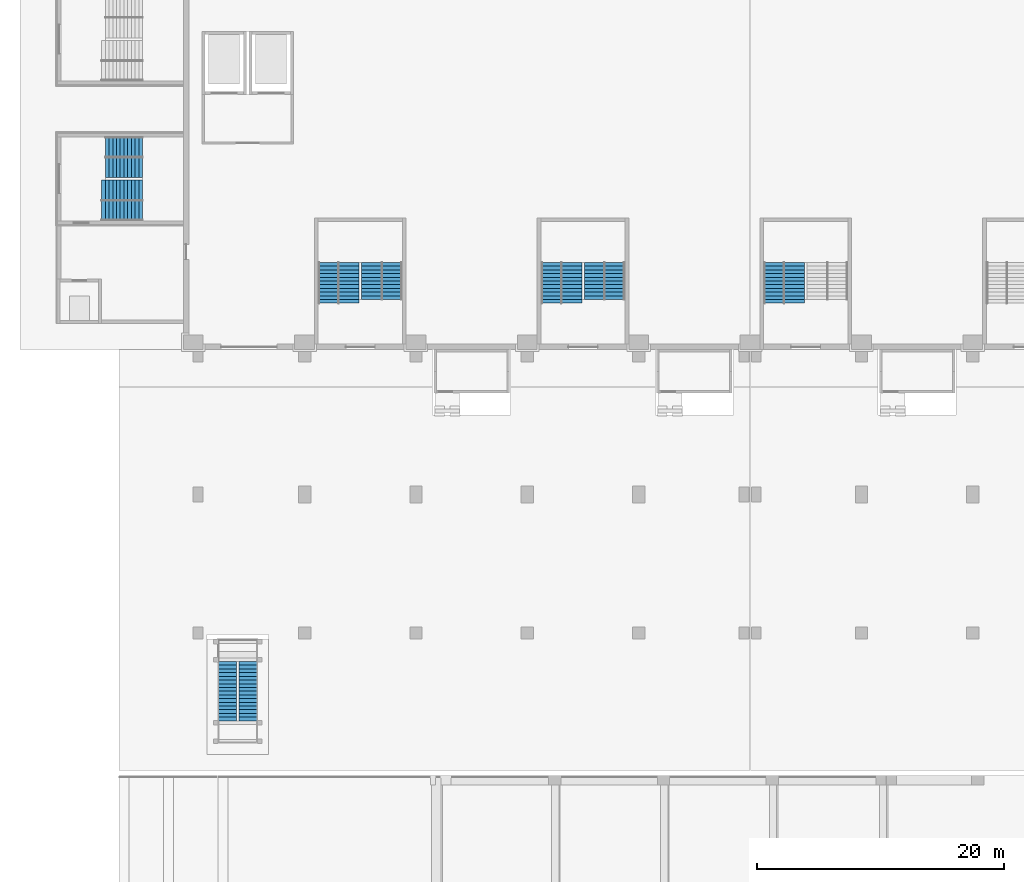
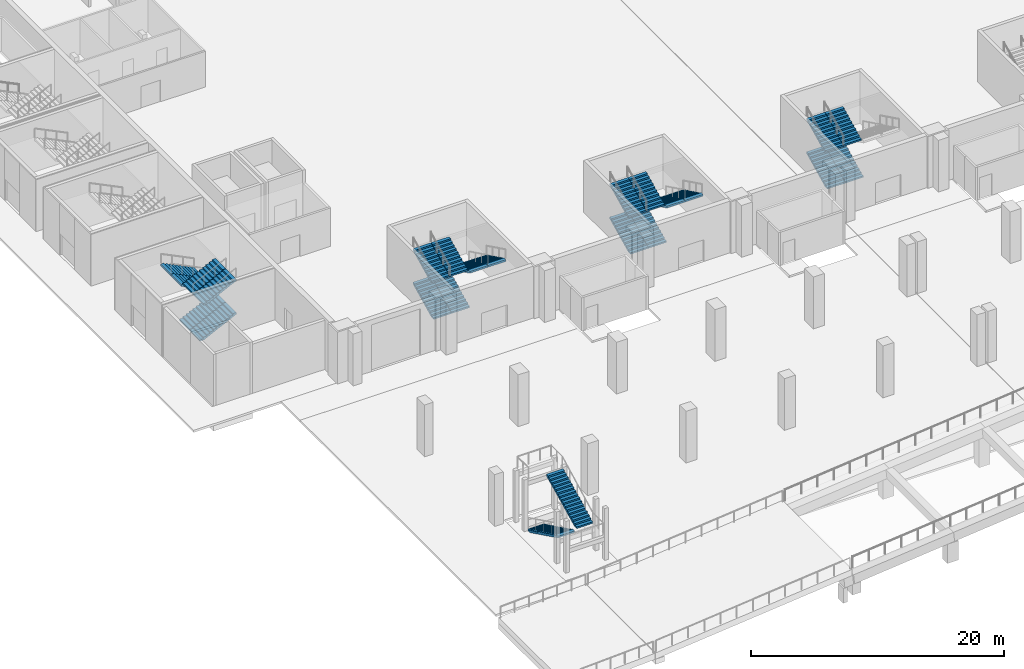
# One storey, part 54 of 77: 24 stair flights, 9 elements without a shape of their own.
"""IFC4 building model written with IfcOpenShell, lengths in metres."""

from ifc_helpers import new_model, si_unit, direction, frame, origin, place, context, subcontext, project, spatial, polyline, outline, extrude, material, type_object, element, aggregate, save


model = new_model("IFC4")

# Units and contexts
model_context = context("Model", 3, precision=1e-05, world=origin(), true_north=direction((0.0, 1.0)))
body_context = subcontext(model_context, "Body", "Model", "MODEL_VIEW")
ifc_project = project(units=[si_unit("LENGTHUNIT", "METRE"), si_unit("AREAUNIT", "SQUARE_METRE"), si_unit("VOLUMEUNIT", "CUBIC_METRE"), si_unit("PLANEANGLEUNIT", "RADIAN"), si_unit("MASSUNIT", "GRAM", prefix="KILO")], contexts=[model_context])

# Site, building, storey
site_placement = place(None, origin())
site = spatial("IfcSite", under=ifc_project, at=site_placement, CompositionType="ELEMENT")
building_placement = place(site_placement, origin())
building = spatial("IfcBuilding", under=site, at=building_placement, Name="Aravalli Gate Trade Fair Centre", CompositionType="ELEMENT")
storey_placement = place(building_placement, origin())
storey = spatial("IfcBuildingStorey", under=building, at=storey_placement, Name="L00", CompositionType="ELEMENT", Elevation=0.0)

# Stair, stair flights
ifc_material_1 = material(Name="Concrete M45", Category="concrete")
stair_type_1 = type_object("IfcStairType", Name="External stair 1500", PredefinedType="HALF_TURN_STAIR", material=ifc_material_1)
stair_1_placement = place(storey_placement, origin())
stair_1 = element("IfcStair", 1, at=stair_1_placement, inside=storey, type_object=stair_type_1, Name="External stair 1 L00", PredefinedType="HALF_TURN_STAIR")
stair_flight_type_1 = type_object("IfcStairFlightType", Name="External stair flight 1500", PredefinedType="STRAIGHT", material=ifc_material_1)
stair_flight_1_placement = place(storey_placement, frame((8.75, 20.199951171875, 0.0), z_axis=(0.0, 0.0, 1.0), x_axis=(0.0, -1.0, 0.0)))
stair_flight_1 = element("IfcStairFlight", 2, at=stair_flight_1_placement, type_object=stair_flight_type_1, Name="SST1 flight 1", NumberOfRisers=17, NumberOfTreads=16, PredefinedType="STRAIGHT", RiserHeight=0.147058824, TreadLength=0.3, context=body_context, shape_type="SweptSolid", body=[
    extrude(outline(polyline([(0.0, 0.0), (0.0, 0.14697265625), (0.300048828125, 0.14697265625), (0.300048828125, 0.294189453125), (0.60009765625, 0.294189453125), (0.60009765625, 0.441162109375), (0.89990234375, 0.441162109375), (0.89990234375, 0.588134765625), (1.199951171875, 0.588134765625), (1.199951171875, 0.7353515625), (1.5, 0.7353515625), (1.5, 0.88232421875), (1.800048828125, 0.88232421875), (1.800048828125, 1.029296875), (2.10009765625, 1.029296875), (2.10009765625, 1.176513671875), (2.39990234375, 1.176513671875), (2.39990234375, 1.323486328125), (2.699951171875, 1.323486328125), (2.699951171875, 1.470703125), (3.0, 1.470703125), (3.0, 1.61767578125), (3.300048828125, 1.61767578125), (3.300048828125, 1.7646484375), (3.60009765625, 1.7646484375), (3.60009765625, 1.911865234375), (3.89990234375, 1.911865234375), (3.89990234375, 2.058837890625), (4.199951171875, 2.058837890625), (4.199951171875, 2.205810546875), (4.5, 2.205810546875), (4.5, 2.35302734375), (4.800048828125, 2.35302734375), (4.800048828125, 2.5), (4.800048828125, 2.18603515625), (0.340576171875, 0.0), (0.0, 0.0)])), frame((0.0, 0.75, 0.0), z_axis=(0.0, -1.0, 0.0), x_axis=(1.0, 0.0, 0.0)), (0.0, 0.0, 1.0), 1.5),
])
stair_flight_2_placement = place(storey_placement, frame((10.449951171875, 15.39990234375, 2.5), z_axis=(0.0, 0.0, 1.0), x_axis=(0.0, 1.0, 0.0)))
stair_flight_2 = element("IfcStairFlight", 3, at=stair_flight_2_placement, type_object=stair_flight_type_1, Name="SST1 flight 2", NumberOfRisers=17, NumberOfTreads=16, PredefinedType="STRAIGHT", RiserHeight=0.147058824, TreadLength=0.3, context=body_context, shape_type="SweptSolid", body=[
    extrude(outline(polyline([(0.0, 0.0), (0.0, 0.14697265625), (0.300048828125, 0.14697265625), (0.300048828125, 0.294189453125), (0.60009765625, 0.294189453125), (0.60009765625, 0.441162109375), (0.89990234375, 0.441162109375), (0.89990234375, 0.588134765625), (1.199951171875, 0.588134765625), (1.199951171875, 0.7353515625), (1.5, 0.7353515625), (1.5, 0.88232421875), (1.800048828125, 0.88232421875), (1.800048828125, 1.029296875), (2.10009765625, 1.029296875), (2.10009765625, 1.176513671875), (2.39990234375, 1.176513671875), (2.39990234375, 1.323486328125), (2.699951171875, 1.323486328125), (2.699951171875, 1.470703125), (3.0, 1.470703125), (3.0, 1.61767578125), (3.300048828125, 1.61767578125), (3.300048828125, 1.7646484375), (3.60009765625, 1.7646484375), (3.60009765625, 1.911865234375), (3.89990234375, 1.911865234375), (3.89990234375, 2.058837890625), (4.199951171875, 2.058837890625), (4.199951171875, 2.205810546875), (4.5, 2.205810546875), (4.5, 2.35302734375), (4.800048828125, 2.35302734375), (4.800048828125, 2.5), (4.800048828125, 2.18603515625), (0.340576171875, 0.0), (0.0, 0.0)])), frame((0.0, 0.75, 0.0), z_axis=(0.0, -1.0, 0.0), x_axis=(1.0, 0.0, 0.0)), (0.0, 0.0, 1.0), 1.5),
])
aggregate(stair_1, [stair_flight_1, stair_flight_2])

ifc_material_2 = material(Name="Concrete M40", Category="concrete")
stair_type_2 = type_object("IfcStairType", Name="Hall exit stair, three flights", PredefinedType="HALF_TURN_STAIR", material=ifc_material_2)
stair_2_placement = place(storey_placement, origin())
stair_2 = element("IfcStair", 4, at=stair_2_placement, inside=storey, type_object=stair_type_2, Name="Exit stair ST-S02 lane A L00", PredefinedType="HALF_TURN_STAIR")
stair_flight_type_2 = type_object("IfcStairFlightType", Name="Hall exit stair flight", PredefinedType="STRAIGHT", material=ifc_material_2)
stair_flight_3_placement = place(storey_placement, frame((16.919921875, 49.14990234375, 0.0), z_axis=(0.0, 0.0, 1.0), x_axis=(0.0, 1.0, 0.0)))
stair_flight_3 = element("IfcStairFlight", 5, at=stair_flight_3_placement, type_object=stair_flight_type_2, Name="ST-S02A flight 1", NumberOfRisers=12, NumberOfTreads=11, PredefinedType="STRAIGHT", RiserHeight=0.147058824, TreadLength=0.3, context=body_context, shape_type="SweptSolid", body=[
    extrude(outline(polyline([(0.0, 0.0), (0.0, 0.14697265625), (0.300048828125, 0.14697265625), (0.300048828125, 0.294189453125), (0.60009765625, 0.294189453125), (0.60009765625, 0.441162109375), (0.89990234375, 0.441162109375), (0.89990234375, 0.588134765625), (1.199951171875, 0.588134765625), (1.199951171875, 0.7353515625), (1.5, 0.7353515625), (1.5, 0.88232421875), (1.800048828125, 0.88232421875), (1.800048828125, 1.029296875), (2.10009765625, 1.029296875), (2.10009765625, 1.176513671875), (2.39990234375, 1.176513671875), (2.39990234375, 1.323486328125), (2.699951171875, 1.323486328125), (2.699951171875, 1.470703125), (3.0, 1.470703125), (3.0, 1.61767578125), (3.300048828125, 1.61767578125), (3.300048828125, 1.7646484375), (3.300048828125, 1.45068359375), (0.340576171875, 0.0), (0.0, 0.0)])), frame((0.0, 0.81982421875, 0.0), z_axis=(0.0, -1.0, 0.0), x_axis=(1.0, 0.0, 0.0)), (0.0, 0.0, 1.0), 1.639892578125),
])
stair_flight_4_placement = place(storey_placement, frame((20.419921875, 52.449951171875, 1.7646484375), z_axis=(0.0, 0.0, 1.0), x_axis=(0.0, -1.0, 0.0)))
stair_flight_4 = element("IfcStairFlight", 6, at=stair_flight_4_placement, type_object=stair_flight_type_2, Name="ST-S02A flight 2", NumberOfRisers=11, NumberOfTreads=10, PredefinedType="STRAIGHT", RiserHeight=0.147058824, TreadLength=0.3, context=body_context, shape_type="SweptSolid", body=[
    extrude(outline(polyline([(0.0, 0.0), (0.0, 0.14697265625), (0.300048828125, 0.14697265625), (0.300048828125, 0.294189453125), (0.60009765625, 0.294189453125), (0.60009765625, 0.441162109375), (0.89990234375, 0.441162109375), (0.89990234375, 0.588134765625), (1.199951171875, 0.588134765625), (1.199951171875, 0.7353515625), (1.5, 0.7353515625), (1.5, 0.88232421875), (1.800048828125, 0.88232421875), (1.800048828125, 1.029296875), (2.10009765625, 1.029296875), (2.10009765625, 1.176513671875), (2.39990234375, 1.176513671875), (2.39990234375, 1.323486328125), (2.699951171875, 1.323486328125), (2.699951171875, 1.470703125), (3.0, 1.470703125), (3.0, 1.61767578125), (3.0, 1.3037109375), (0.340576171875, 0.0), (0.0, 0.0)])), frame((0.0, 0.81982421875, 0.0), z_axis=(0.0, -1.0, 0.0), x_axis=(1.0, 0.0, 0.0)), (0.0, 0.0, 1.0), 1.639892578125),
])
stair_flight_5_placement = place(storey_placement, frame((16.919921875, 49.449951171875, 3.38232421875), z_axis=(0.0, 0.0, 1.0), x_axis=(0.0, 1.0, 0.0)))
stair_flight_5 = element("IfcStairFlight", 7, at=stair_flight_5_placement, type_object=stair_flight_type_2, Name="ST-S02A flight 3", NumberOfRisers=11, NumberOfTreads=10, PredefinedType="STRAIGHT", RiserHeight=0.147058824, TreadLength=0.3, context=body_context, shape_type="SweptSolid", body=[
    extrude(outline(polyline([(0.0, 0.0), (0.0, 0.14697265625), (0.300048828125, 0.14697265625), (0.300048828125, 0.294189453125), (0.60009765625, 0.294189453125), (0.60009765625, 0.441162109375), (0.89990234375, 0.441162109375), (0.89990234375, 0.588134765625), (1.199951171875, 0.588134765625), (1.199951171875, 0.7353515625), (1.5, 0.7353515625), (1.5, 0.88232421875), (1.800048828125, 0.88232421875), (1.800048828125, 1.029296875), (2.10009765625, 1.029296875), (2.10009765625, 1.176513671875), (2.39990234375, 1.176513671875), (2.39990234375, 1.323486328125), (2.699951171875, 1.323486328125), (2.699951171875, 1.470703125), (3.0, 1.470703125), (3.0, 1.61767578125), (3.0, 1.3037109375), (0.340576171875, 0.0), (0.0, 0.0)])), frame((0.0, 0.81982421875, 0.0), z_axis=(0.0, -1.0, 0.0), x_axis=(1.0, 0.0, 0.0)), (0.0, 0.0, 1.0), 1.639892578125),
])
aggregate(stair_2, [stair_flight_3, stair_flight_4, stair_flight_5])

stair_3_placement = place(storey_placement, origin())
stair_3 = element("IfcStair", 8, at=stair_3_placement, inside=storey, type_object=stair_type_2, Name="Exit stair ST-S02 lane B L00", PredefinedType="HALF_TURN_STAIR")
stair_flight_6_placement = place(storey_placement, frame((18.580078125, 49.14990234375, 0.0), z_axis=(0.0, 0.0, 1.0), x_axis=(0.0, 1.0, 0.0)))
stair_flight_6 = element("IfcStairFlight", 9, at=stair_flight_6_placement, type_object=stair_flight_type_2, Name="ST-S02B flight 1", NumberOfRisers=12, NumberOfTreads=11, PredefinedType="STRAIGHT", RiserHeight=0.147058824, TreadLength=0.3, context=body_context, shape_type="SweptSolid", body=[
    extrude(outline(polyline([(0.0, 0.0), (0.0, 0.14697265625), (0.300048828125, 0.14697265625), (0.300048828125, 0.294189453125), (0.60009765625, 0.294189453125), (0.60009765625, 0.441162109375), (0.89990234375, 0.441162109375), (0.89990234375, 0.588134765625), (1.199951171875, 0.588134765625), (1.199951171875, 0.7353515625), (1.5, 0.7353515625), (1.5, 0.88232421875), (1.800048828125, 0.88232421875), (1.800048828125, 1.029296875), (2.10009765625, 1.029296875), (2.10009765625, 1.176513671875), (2.39990234375, 1.176513671875), (2.39990234375, 1.323486328125), (2.699951171875, 1.323486328125), (2.699951171875, 1.470703125), (3.0, 1.470703125), (3.0, 1.61767578125), (3.300048828125, 1.61767578125), (3.300048828125, 1.7646484375), (3.300048828125, 1.45068359375), (0.340576171875, 0.0), (0.0, 0.0)])), frame((0.0, 0.81982421875, 0.0), z_axis=(0.0, -1.0, 0.0), x_axis=(1.0, 0.0, 0.0)), (0.0, 0.0, 1.0), 1.639892578125),
])
stair_flight_7_placement = place(storey_placement, frame((22.080078125, 52.449951171875, 1.7646484375), z_axis=(0.0, 0.0, 1.0), x_axis=(0.0, -1.0, 0.0)))
stair_flight_7 = element("IfcStairFlight", 10, at=stair_flight_7_placement, type_object=stair_flight_type_2, Name="ST-S02B flight 2", NumberOfRisers=11, NumberOfTreads=10, PredefinedType="STRAIGHT", RiserHeight=0.147058824, TreadLength=0.3, context=body_context, shape_type="SweptSolid", body=[
    extrude(outline(polyline([(0.0, 0.0), (0.0, 0.14697265625), (0.300048828125, 0.14697265625), (0.300048828125, 0.294189453125), (0.60009765625, 0.294189453125), (0.60009765625, 0.441162109375), (0.89990234375, 0.441162109375), (0.89990234375, 0.588134765625), (1.199951171875, 0.588134765625), (1.199951171875, 0.7353515625), (1.5, 0.7353515625), (1.5, 0.88232421875), (1.800048828125, 0.88232421875), (1.800048828125, 1.029296875), (2.10009765625, 1.029296875), (2.10009765625, 1.176513671875), (2.39990234375, 1.176513671875), (2.39990234375, 1.323486328125), (2.699951171875, 1.323486328125), (2.699951171875, 1.470703125), (3.0, 1.470703125), (3.0, 1.61767578125), (3.0, 1.3037109375), (0.340576171875, 0.0), (0.0, 0.0)])), frame((0.0, 0.81982421875, 0.0), z_axis=(0.0, -1.0, 0.0), x_axis=(1.0, 0.0, 0.0)), (0.0, 0.0, 1.0), 1.639892578125),
])
stair_flight_8_placement = place(storey_placement, frame((18.580078125, 49.449951171875, 3.38232421875), z_axis=(0.0, 0.0, 1.0), x_axis=(0.0, 1.0, 0.0)))
stair_flight_8 = element("IfcStairFlight", 11, at=stair_flight_8_placement, type_object=stair_flight_type_2, Name="ST-S02B flight 3", NumberOfRisers=11, NumberOfTreads=10, PredefinedType="STRAIGHT", RiserHeight=0.147058824, TreadLength=0.3, context=body_context, shape_type="SweptSolid", body=[
    extrude(outline(polyline([(0.0, 0.0), (0.0, 0.14697265625), (0.300048828125, 0.14697265625), (0.300048828125, 0.294189453125), (0.60009765625, 0.294189453125), (0.60009765625, 0.441162109375), (0.89990234375, 0.441162109375), (0.89990234375, 0.588134765625), (1.199951171875, 0.588134765625), (1.199951171875, 0.7353515625), (1.5, 0.7353515625), (1.5, 0.88232421875), (1.800048828125, 0.88232421875), (1.800048828125, 1.029296875), (2.10009765625, 1.029296875), (2.10009765625, 1.176513671875), (2.39990234375, 1.176513671875), (2.39990234375, 1.323486328125), (2.699951171875, 1.323486328125), (2.699951171875, 1.470703125), (3.0, 1.470703125), (3.0, 1.61767578125), (3.0, 1.3037109375), (0.340576171875, 0.0), (0.0, 0.0)])), frame((0.0, 0.81982421875, 0.0), z_axis=(0.0, -1.0, 0.0), x_axis=(1.0, 0.0, 0.0)), (0.0, 0.0, 1.0), 1.639892578125),
])
aggregate(stair_3, [stair_flight_6, stair_flight_7, stair_flight_8])

stair_4_placement = place(storey_placement, origin())
stair_4 = element("IfcStair", 12, at=stair_4_placement, inside=storey, type_object=stair_type_2, Name="Exit stair ST-S04 lane A L00", PredefinedType="HALF_TURN_STAIR")
stair_flight_9_placement = place(storey_placement, frame((34.919921875, 49.14990234375, 0.0), z_axis=(0.0, 0.0, 1.0), x_axis=(0.0, 1.0, 0.0)))
stair_flight_9 = element("IfcStairFlight", 13, at=stair_flight_9_placement, type_object=stair_flight_type_2, Name="ST-S04A flight 1", NumberOfRisers=12, NumberOfTreads=11, PredefinedType="STRAIGHT", RiserHeight=0.147058824, TreadLength=0.3, context=body_context, shape_type="SweptSolid", body=[
    extrude(outline(polyline([(0.0, 0.0), (0.0, 0.14697265625), (0.300048828125, 0.14697265625), (0.300048828125, 0.294189453125), (0.60009765625, 0.294189453125), (0.60009765625, 0.441162109375), (0.89990234375, 0.441162109375), (0.89990234375, 0.588134765625), (1.199951171875, 0.588134765625), (1.199951171875, 0.7353515625), (1.5, 0.7353515625), (1.5, 0.88232421875), (1.800048828125, 0.88232421875), (1.800048828125, 1.029296875), (2.10009765625, 1.029296875), (2.10009765625, 1.176513671875), (2.39990234375, 1.176513671875), (2.39990234375, 1.323486328125), (2.699951171875, 1.323486328125), (2.699951171875, 1.470703125), (3.0, 1.470703125), (3.0, 1.61767578125), (3.300048828125, 1.61767578125), (3.300048828125, 1.7646484375), (3.300048828125, 1.45068359375), (0.340576171875, 0.0), (0.0, 0.0)])), frame((0.0, 0.81982421875, 0.0), z_axis=(0.0, -1.0, 0.0), x_axis=(1.0, 0.0, 0.0)), (0.0, 0.0, 1.0), 1.639892578125),
])
stair_flight_10_placement = place(storey_placement, frame((38.419921875, 52.449951171875, 1.7646484375), z_axis=(0.0, 0.0, 1.0), x_axis=(0.0, -1.0, 0.0)))
stair_flight_10 = element("IfcStairFlight", 14, at=stair_flight_10_placement, type_object=stair_flight_type_2, Name="ST-S04A flight 2", NumberOfRisers=11, NumberOfTreads=10, PredefinedType="STRAIGHT", RiserHeight=0.147058824, TreadLength=0.3, context=body_context, shape_type="SweptSolid", body=[
    extrude(outline(polyline([(0.0, 0.0), (0.0, 0.14697265625), (0.300048828125, 0.14697265625), (0.300048828125, 0.294189453125), (0.60009765625, 0.294189453125), (0.60009765625, 0.441162109375), (0.89990234375, 0.441162109375), (0.89990234375, 0.588134765625), (1.199951171875, 0.588134765625), (1.199951171875, 0.7353515625), (1.5, 0.7353515625), (1.5, 0.88232421875), (1.800048828125, 0.88232421875), (1.800048828125, 1.029296875), (2.10009765625, 1.029296875), (2.10009765625, 1.176513671875), (2.39990234375, 1.176513671875), (2.39990234375, 1.323486328125), (2.699951171875, 1.323486328125), (2.699951171875, 1.470703125), (3.0, 1.470703125), (3.0, 1.61767578125), (3.0, 1.3037109375), (0.340576171875, 0.0), (0.0, 0.0)])), frame((0.0, 0.81982421875, 0.0), z_axis=(0.0, -1.0, 0.0), x_axis=(1.0, 0.0, 0.0)), (0.0, 0.0, 1.0), 1.639892578125),
])
stair_flight_11_placement = place(storey_placement, frame((34.919921875, 49.449951171875, 3.38232421875), z_axis=(0.0, 0.0, 1.0), x_axis=(0.0, 1.0, 0.0)))
stair_flight_11 = element("IfcStairFlight", 15, at=stair_flight_11_placement, type_object=stair_flight_type_2, Name="ST-S04A flight 3", NumberOfRisers=11, NumberOfTreads=10, PredefinedType="STRAIGHT", RiserHeight=0.147058824, TreadLength=0.3, context=body_context, shape_type="SweptSolid", body=[
    extrude(outline(polyline([(0.0, 0.0), (0.0, 0.14697265625), (0.300048828125, 0.14697265625), (0.300048828125, 0.294189453125), (0.60009765625, 0.294189453125), (0.60009765625, 0.441162109375), (0.89990234375, 0.441162109375), (0.89990234375, 0.588134765625), (1.199951171875, 0.588134765625), (1.199951171875, 0.7353515625), (1.5, 0.7353515625), (1.5, 0.88232421875), (1.800048828125, 0.88232421875), (1.800048828125, 1.029296875), (2.10009765625, 1.029296875), (2.10009765625, 1.176513671875), (2.39990234375, 1.176513671875), (2.39990234375, 1.323486328125), (2.699951171875, 1.323486328125), (2.699951171875, 1.470703125), (3.0, 1.470703125), (3.0, 1.61767578125), (3.0, 1.3037109375), (0.340576171875, 0.0), (0.0, 0.0)])), frame((0.0, 0.81982421875, 0.0), z_axis=(0.0, -1.0, 0.0), x_axis=(1.0, 0.0, 0.0)), (0.0, 0.0, 1.0), 1.639892578125),
])
aggregate(stair_4, [stair_flight_9, stair_flight_10, stair_flight_11])

stair_5_placement = place(storey_placement, origin())
stair_5 = element("IfcStair", 16, at=stair_5_placement, inside=storey, type_object=stair_type_2, Name="Exit stair ST-S04 lane B L00", PredefinedType="HALF_TURN_STAIR")
stair_flight_12_placement = place(storey_placement, frame((36.580078125, 49.14990234375, 0.0), z_axis=(0.0, 0.0, 1.0), x_axis=(0.0, 1.0, 0.0)))
stair_flight_12 = element("IfcStairFlight", 17, at=stair_flight_12_placement, type_object=stair_flight_type_2, Name="ST-S04B flight 1", NumberOfRisers=12, NumberOfTreads=11, PredefinedType="STRAIGHT", RiserHeight=0.147058824, TreadLength=0.3, context=body_context, shape_type="SweptSolid", body=[
    extrude(outline(polyline([(0.0, 0.0), (0.0, 0.14697265625), (0.300048828125, 0.14697265625), (0.300048828125, 0.294189453125), (0.60009765625, 0.294189453125), (0.60009765625, 0.441162109375), (0.89990234375, 0.441162109375), (0.89990234375, 0.588134765625), (1.199951171875, 0.588134765625), (1.199951171875, 0.7353515625), (1.5, 0.7353515625), (1.5, 0.88232421875), (1.800048828125, 0.88232421875), (1.800048828125, 1.029296875), (2.10009765625, 1.029296875), (2.10009765625, 1.176513671875), (2.39990234375, 1.176513671875), (2.39990234375, 1.323486328125), (2.699951171875, 1.323486328125), (2.699951171875, 1.470703125), (3.0, 1.470703125), (3.0, 1.61767578125), (3.300048828125, 1.61767578125), (3.300048828125, 1.7646484375), (3.300048828125, 1.45068359375), (0.340576171875, 0.0), (0.0, 0.0)])), frame((0.0, 0.81982421875, 0.0), z_axis=(0.0, -1.0, 0.0), x_axis=(1.0, 0.0, 0.0)), (0.0, 0.0, 1.0), 1.639892578125),
])
stair_flight_13_placement = place(storey_placement, frame((40.080078125, 52.449951171875, 1.7646484375), z_axis=(0.0, 0.0, 1.0), x_axis=(0.0, -1.0, 0.0)))
stair_flight_13 = element("IfcStairFlight", 18, at=stair_flight_13_placement, type_object=stair_flight_type_2, Name="ST-S04B flight 2", NumberOfRisers=11, NumberOfTreads=10, PredefinedType="STRAIGHT", RiserHeight=0.147058824, TreadLength=0.3, context=body_context, shape_type="SweptSolid", body=[
    extrude(outline(polyline([(0.0, 0.0), (0.0, 0.14697265625), (0.300048828125, 0.14697265625), (0.300048828125, 0.294189453125), (0.60009765625, 0.294189453125), (0.60009765625, 0.441162109375), (0.89990234375, 0.441162109375), (0.89990234375, 0.588134765625), (1.199951171875, 0.588134765625), (1.199951171875, 0.7353515625), (1.5, 0.7353515625), (1.5, 0.88232421875), (1.800048828125, 0.88232421875), (1.800048828125, 1.029296875), (2.10009765625, 1.029296875), (2.10009765625, 1.176513671875), (2.39990234375, 1.176513671875), (2.39990234375, 1.323486328125), (2.699951171875, 1.323486328125), (2.699951171875, 1.470703125), (3.0, 1.470703125), (3.0, 1.61767578125), (3.0, 1.3037109375), (0.340576171875, 0.0), (0.0, 0.0)])), frame((0.0, 0.81982421875, 0.0), z_axis=(0.0, -1.0, 0.0), x_axis=(1.0, 0.0, 0.0)), (0.0, 0.0, 1.0), 1.639892578125),
])
stair_flight_14_placement = place(storey_placement, frame((36.580078125, 49.449951171875, 3.38232421875), z_axis=(0.0, 0.0, 1.0), x_axis=(0.0, 1.0, 0.0)))
stair_flight_14 = element("IfcStairFlight", 19, at=stair_flight_14_placement, type_object=stair_flight_type_2, Name="ST-S04B flight 3", NumberOfRisers=11, NumberOfTreads=10, PredefinedType="STRAIGHT", RiserHeight=0.147058824, TreadLength=0.3, context=body_context, shape_type="SweptSolid", body=[
    extrude(outline(polyline([(0.0, 0.0), (0.0, 0.14697265625), (0.300048828125, 0.14697265625), (0.300048828125, 0.294189453125), (0.60009765625, 0.294189453125), (0.60009765625, 0.441162109375), (0.89990234375, 0.441162109375), (0.89990234375, 0.588134765625), (1.199951171875, 0.588134765625), (1.199951171875, 0.7353515625), (1.5, 0.7353515625), (1.5, 0.88232421875), (1.800048828125, 0.88232421875), (1.800048828125, 1.029296875), (2.10009765625, 1.029296875), (2.10009765625, 1.176513671875), (2.39990234375, 1.176513671875), (2.39990234375, 1.323486328125), (2.699951171875, 1.323486328125), (2.699951171875, 1.470703125), (3.0, 1.470703125), (3.0, 1.61767578125), (3.0, 1.3037109375), (0.340576171875, 0.0), (0.0, 0.0)])), frame((0.0, 0.81982421875, 0.0), z_axis=(0.0, -1.0, 0.0), x_axis=(1.0, 0.0, 0.0)), (0.0, 0.0, 1.0), 1.639892578125),
])
aggregate(stair_5, [stair_flight_12, stair_flight_13, stair_flight_14])

stair_6_placement = place(storey_placement, origin())
stair_6 = element("IfcStair", 20, at=stair_6_placement, inside=storey, type_object=stair_type_2, Name="Exit stair ST-S06 lane A L00", PredefinedType="HALF_TURN_STAIR")
stair_flight_15_placement = place(storey_placement, frame((52.919921875, 49.14990234375, 0.0), z_axis=(0.0, 0.0, 1.0), x_axis=(0.0, 1.0, 0.0)))
stair_flight_15 = element("IfcStairFlight", 21, at=stair_flight_15_placement, type_object=stair_flight_type_2, Name="ST-S06A flight 1", NumberOfRisers=12, NumberOfTreads=11, PredefinedType="STRAIGHT", RiserHeight=0.147058824, TreadLength=0.3, context=body_context, shape_type="SweptSolid", body=[
    extrude(outline(polyline([(0.0, 0.0), (0.0, 0.14697265625), (0.300048828125, 0.14697265625), (0.300048828125, 0.294189453125), (0.60009765625, 0.294189453125), (0.60009765625, 0.441162109375), (0.89990234375, 0.441162109375), (0.89990234375, 0.588134765625), (1.199951171875, 0.588134765625), (1.199951171875, 0.7353515625), (1.5, 0.7353515625), (1.5, 0.88232421875), (1.800048828125, 0.88232421875), (1.800048828125, 1.029296875), (2.10009765625, 1.029296875), (2.10009765625, 1.176513671875), (2.39990234375, 1.176513671875), (2.39990234375, 1.323486328125), (2.699951171875, 1.323486328125), (2.699951171875, 1.470703125), (3.0, 1.470703125), (3.0, 1.61767578125), (3.300048828125, 1.61767578125), (3.300048828125, 1.7646484375), (3.300048828125, 1.45068359375), (0.340576171875, 0.0), (0.0, 0.0)])), frame((0.0, 0.81982421875, 0.0), z_axis=(0.0, -1.0, 0.0), x_axis=(1.0, 0.0, 0.0)), (0.0, 0.0, 1.0), 1.639892578125),
])
stair_flight_16_placement = place(storey_placement, frame((52.919921875, 49.449951171875, 3.38232421875), z_axis=(0.0, 0.0, 1.0), x_axis=(0.0, 1.0, 0.0)))
stair_flight_16 = element("IfcStairFlight", 22, at=stair_flight_16_placement, type_object=stair_flight_type_2, Name="ST-S06A flight 3", NumberOfRisers=11, NumberOfTreads=10, PredefinedType="STRAIGHT", RiserHeight=0.147058824, TreadLength=0.3, context=body_context, shape_type="SweptSolid", body=[
    extrude(outline(polyline([(0.0, 0.0), (0.0, 0.14697265625), (0.300048828125, 0.14697265625), (0.300048828125, 0.294189453125), (0.60009765625, 0.294189453125), (0.60009765625, 0.441162109375), (0.89990234375, 0.441162109375), (0.89990234375, 0.588134765625), (1.199951171875, 0.588134765625), (1.199951171875, 0.7353515625), (1.5, 0.7353515625), (1.5, 0.88232421875), (1.800048828125, 0.88232421875), (1.800048828125, 1.029296875), (2.10009765625, 1.029296875), (2.10009765625, 1.176513671875), (2.39990234375, 1.176513671875), (2.39990234375, 1.323486328125), (2.699951171875, 1.323486328125), (2.699951171875, 1.470703125), (3.0, 1.470703125), (3.0, 1.61767578125), (3.0, 1.3037109375), (0.340576171875, 0.0), (0.0, 0.0)])), frame((0.0, 0.81982421875, 0.0), z_axis=(0.0, -1.0, 0.0), x_axis=(1.0, 0.0, 0.0)), (0.0, 0.0, 1.0), 1.639892578125),
])
aggregate(stair_6, [stair_flight_15, stair_flight_16])

stair_7_placement = place(storey_placement, origin())
stair_7 = element("IfcStair", 23, at=stair_7_placement, inside=storey, type_object=stair_type_2, Name="Exit stair ST-S06 lane B L00", PredefinedType="HALF_TURN_STAIR")
stair_flight_17_placement = place(storey_placement, frame((54.580078125, 49.14990234375, 0.0), z_axis=(0.0, 0.0, 1.0), x_axis=(0.0, 1.0, 0.0)))
stair_flight_17 = element("IfcStairFlight", 24, at=stair_flight_17_placement, type_object=stair_flight_type_2, Name="ST-S06B flight 1", NumberOfRisers=12, NumberOfTreads=11, PredefinedType="STRAIGHT", RiserHeight=0.147058824, TreadLength=0.3, context=body_context, shape_type="SweptSolid", body=[
    extrude(outline(polyline([(0.0, 0.0), (0.0, 0.14697265625), (0.300048828125, 0.14697265625), (0.300048828125, 0.294189453125), (0.60009765625, 0.294189453125), (0.60009765625, 0.441162109375), (0.89990234375, 0.441162109375), (0.89990234375, 0.588134765625), (1.199951171875, 0.588134765625), (1.199951171875, 0.7353515625), (1.5, 0.7353515625), (1.5, 0.88232421875), (1.800048828125, 0.88232421875), (1.800048828125, 1.029296875), (2.10009765625, 1.029296875), (2.10009765625, 1.176513671875), (2.39990234375, 1.176513671875), (2.39990234375, 1.323486328125), (2.699951171875, 1.323486328125), (2.699951171875, 1.470703125), (3.0, 1.470703125), (3.0, 1.61767578125), (3.300048828125, 1.61767578125), (3.300048828125, 1.7646484375), (3.300048828125, 1.45068359375), (0.340576171875, 0.0), (0.0, 0.0)])), frame((0.0, 0.81982421875, 0.0), z_axis=(0.0, -1.0, 0.0), x_axis=(1.0, 0.0, 0.0)), (0.0, 0.0, 1.0), 1.639892578125),
])
stair_flight_18_placement = place(storey_placement, frame((54.580078125, 49.449951171875, 3.38232421875), z_axis=(0.0, 0.0, 1.0), x_axis=(0.0, 1.0, 0.0)))
stair_flight_18 = element("IfcStairFlight", 25, at=stair_flight_18_placement, type_object=stair_flight_type_2, Name="ST-S06B flight 3", NumberOfRisers=11, NumberOfTreads=10, PredefinedType="STRAIGHT", RiserHeight=0.147058824, TreadLength=0.3, context=body_context, shape_type="SweptSolid", body=[
    extrude(outline(polyline([(0.0, 0.0), (0.0, 0.14697265625), (0.300048828125, 0.14697265625), (0.300048828125, 0.294189453125), (0.60009765625, 0.294189453125), (0.60009765625, 0.441162109375), (0.89990234375, 0.441162109375), (0.89990234375, 0.588134765625), (1.199951171875, 0.588134765625), (1.199951171875, 0.7353515625), (1.5, 0.7353515625), (1.5, 0.88232421875), (1.800048828125, 0.88232421875), (1.800048828125, 1.029296875), (2.10009765625, 1.029296875), (2.10009765625, 1.176513671875), (2.39990234375, 1.176513671875), (2.39990234375, 1.323486328125), (2.699951171875, 1.323486328125), (2.699951171875, 1.470703125), (3.0, 1.470703125), (3.0, 1.61767578125), (3.0, 1.3037109375), (0.340576171875, 0.0), (0.0, 0.0)])), frame((0.0, 0.81982421875, 0.0), z_axis=(0.0, -1.0, 0.0), x_axis=(1.0, 0.0, 0.0)), (0.0, 0.0, 1.0), 1.639892578125),
])
aggregate(stair_7, [stair_flight_17, stair_flight_18])

stair_8_placement = place(storey_placement, origin())
stair_8 = element("IfcStair", 26, at=stair_8_placement, inside=storey, type_object=stair_type_2, Name="Exit stair ST-W1 lane A L00", PredefinedType="HALF_TURN_STAIR")
stair_flight_19_placement = place(storey_placement, frame((-1.39990234375, 56.6201171875, 0.0), z_axis=(0.0, 0.0, 1.0), x_axis=(1.0, 0.0, 0.0)))
stair_flight_19 = element("IfcStairFlight", 27, at=stair_flight_19_placement, type_object=stair_flight_type_2, Name="ST-W1A flight 1", NumberOfRisers=12, NumberOfTreads=11, PredefinedType="STRAIGHT", RiserHeight=0.147058824, TreadLength=0.3, context=body_context, shape_type="SweptSolid", body=[
    extrude(outline(polyline([(0.0, 0.0), (0.0, 0.14697265625), (0.300048828125, 0.14697265625), (0.300048828125, 0.294189453125), (0.60009765625, 0.294189453125), (0.60009765625, 0.441162109375), (0.89990234375, 0.441162109375), (0.89990234375, 0.588134765625), (1.199951171875, 0.588134765625), (1.199951171875, 0.7353515625), (1.5, 0.7353515625), (1.5, 0.88232421875), (1.800048828125, 0.88232421875), (1.800048828125, 1.029296875), (2.10009765625, 1.029296875), (2.10009765625, 1.176513671875), (2.39990234375, 1.176513671875), (2.39990234375, 1.323486328125), (2.699951171875, 1.323486328125), (2.699951171875, 1.470703125), (3.0, 1.470703125), (3.0, 1.61767578125), (3.300048828125, 1.61767578125), (3.300048828125, 1.7646484375), (3.300048828125, 1.45068359375), (0.340576171875, 0.0), (0.0, 0.0)])), frame((0.0, 0.81982421875, 0.0), z_axis=(0.0, -1.0, 0.0), x_axis=(1.0, 0.0, 0.0)), (0.0, 0.0, 1.0), 1.639892578125),
])
stair_flight_20_placement = place(storey_placement, frame((1.89990234375, 60.1201171875, 1.7646484375), z_axis=(0.0, 0.0, 1.0), x_axis=(-1.0, 0.0, 0.0)))
stair_flight_20 = element("IfcStairFlight", 28, at=stair_flight_20_placement, type_object=stair_flight_type_2, Name="ST-W1A flight 2", NumberOfRisers=11, NumberOfTreads=10, PredefinedType="STRAIGHT", RiserHeight=0.147058824, TreadLength=0.3, context=body_context, shape_type="SweptSolid", body=[
    extrude(outline(polyline([(0.0, 0.0), (0.0, 0.14697265625), (0.300048828125, 0.14697265625), (0.300048828125, 0.294189453125), (0.60009765625, 0.294189453125), (0.60009765625, 0.441162109375), (0.89990234375, 0.441162109375), (0.89990234375, 0.588134765625), (1.199951171875, 0.588134765625), (1.199951171875, 0.7353515625), (1.5, 0.7353515625), (1.5, 0.88232421875), (1.800048828125, 0.88232421875), (1.800048828125, 1.029296875), (2.10009765625, 1.029296875), (2.10009765625, 1.176513671875), (2.39990234375, 1.176513671875), (2.39990234375, 1.323486328125), (2.699951171875, 1.323486328125), (2.699951171875, 1.470703125), (3.0, 1.470703125), (3.0, 1.61767578125), (3.0, 1.3037109375), (0.340576171875, 0.0), (0.0, 0.0)])), frame((0.0, 0.81982421875, 0.0), z_axis=(0.0, -1.0, 0.0), x_axis=(1.0, 0.0, 0.0)), (0.0, 0.0, 1.0), 1.639892578125),
])
stair_flight_21_placement = place(storey_placement, frame((-1.10009765625, 56.6201171875, 3.38232421875), z_axis=(0.0, 0.0, 1.0), x_axis=(1.0, 0.0, 0.0)))
stair_flight_21 = element("IfcStairFlight", 29, at=stair_flight_21_placement, type_object=stair_flight_type_2, Name="ST-W1A flight 3", NumberOfRisers=11, NumberOfTreads=10, PredefinedType="STRAIGHT", RiserHeight=0.147058824, TreadLength=0.3, context=body_context, shape_type="SweptSolid", body=[
    extrude(outline(polyline([(0.0, 0.0), (0.0, 0.14697265625), (0.300048828125, 0.14697265625), (0.300048828125, 0.294189453125), (0.60009765625, 0.294189453125), (0.60009765625, 0.441162109375), (0.89990234375, 0.441162109375), (0.89990234375, 0.588134765625), (1.199951171875, 0.588134765625), (1.199951171875, 0.7353515625), (1.5, 0.7353515625), (1.5, 0.88232421875), (1.800048828125, 0.88232421875), (1.800048828125, 1.029296875), (2.10009765625, 1.029296875), (2.10009765625, 1.176513671875), (2.39990234375, 1.176513671875), (2.39990234375, 1.323486328125), (2.699951171875, 1.323486328125), (2.699951171875, 1.470703125), (3.0, 1.470703125), (3.0, 1.61767578125), (3.0, 1.3037109375), (0.340576171875, 0.0), (0.0, 0.0)])), frame((0.0, 0.81982421875, 0.0), z_axis=(0.0, -1.0, 0.0), x_axis=(1.0, 0.0, 0.0)), (0.0, 0.0, 1.0), 1.639892578125),
])
aggregate(stair_8, [stair_flight_19, stair_flight_20, stair_flight_21])

stair_9_placement = place(storey_placement, origin())
stair_9 = element("IfcStair", 30, at=stair_9_placement, inside=storey, type_object=stair_type_2, Name="Exit stair ST-W1 lane B L00", PredefinedType="HALF_TURN_STAIR")
stair_flight_22_placement = place(storey_placement, frame((-1.39990234375, 58.280029296875, 0.0), z_axis=(0.0, 0.0, 1.0), x_axis=(1.0, 0.0, 0.0)))
stair_flight_22 = element("IfcStairFlight", 31, at=stair_flight_22_placement, type_object=stair_flight_type_2, Name="ST-W1B flight 1", NumberOfRisers=12, NumberOfTreads=11, PredefinedType="STRAIGHT", RiserHeight=0.147058824, TreadLength=0.3, context=body_context, shape_type="SweptSolid", body=[
    extrude(outline(polyline([(0.0, 0.0), (0.0, 0.14697265625), (0.300048828125, 0.14697265625), (0.300048828125, 0.294189453125), (0.60009765625, 0.294189453125), (0.60009765625, 0.441162109375), (0.89990234375, 0.441162109375), (0.89990234375, 0.588134765625), (1.199951171875, 0.588134765625), (1.199951171875, 0.7353515625), (1.5, 0.7353515625), (1.5, 0.88232421875), (1.800048828125, 0.88232421875), (1.800048828125, 1.029296875), (2.10009765625, 1.029296875), (2.10009765625, 1.176513671875), (2.39990234375, 1.176513671875), (2.39990234375, 1.323486328125), (2.699951171875, 1.323486328125), (2.699951171875, 1.470703125), (3.0, 1.470703125), (3.0, 1.61767578125), (3.300048828125, 1.61767578125), (3.300048828125, 1.7646484375), (3.300048828125, 1.45068359375), (0.340576171875, 0.0), (0.0, 0.0)])), frame((0.0, 0.81982421875, 0.0), z_axis=(0.0, -1.0, 0.0), x_axis=(1.0, 0.0, 0.0)), (0.0, 0.0, 1.0), 1.639892578125),
])
stair_flight_23_placement = place(storey_placement, frame((1.89990234375, 61.780029296875, 1.7646484375), z_axis=(0.0, 0.0, 1.0), x_axis=(-1.0, 0.0, 0.0)))
stair_flight_23 = element("IfcStairFlight", 32, at=stair_flight_23_placement, type_object=stair_flight_type_2, Name="ST-W1B flight 2", NumberOfRisers=11, NumberOfTreads=10, PredefinedType="STRAIGHT", RiserHeight=0.147058824, TreadLength=0.3, context=body_context, shape_type="SweptSolid", body=[
    extrude(outline(polyline([(0.0, 0.0), (0.0, 0.14697265625), (0.300048828125, 0.14697265625), (0.300048828125, 0.294189453125), (0.60009765625, 0.294189453125), (0.60009765625, 0.441162109375), (0.89990234375, 0.441162109375), (0.89990234375, 0.588134765625), (1.199951171875, 0.588134765625), (1.199951171875, 0.7353515625), (1.5, 0.7353515625), (1.5, 0.88232421875), (1.800048828125, 0.88232421875), (1.800048828125, 1.029296875), (2.10009765625, 1.029296875), (2.10009765625, 1.176513671875), (2.39990234375, 1.176513671875), (2.39990234375, 1.323486328125), (2.699951171875, 1.323486328125), (2.699951171875, 1.470703125), (3.0, 1.470703125), (3.0, 1.61767578125), (3.0, 1.3037109375), (0.340576171875, 0.0), (0.0, 0.0)])), frame((0.0, 0.81982421875, 0.0), z_axis=(0.0, -1.0, 0.0), x_axis=(1.0, 0.0, 0.0)), (0.0, 0.0, 1.0), 1.639892578125),
])
stair_flight_24_placement = place(storey_placement, frame((-1.10009765625, 58.280029296875, 3.38232421875), z_axis=(0.0, 0.0, 1.0), x_axis=(1.0, 0.0, 0.0)))
stair_flight_24 = element("IfcStairFlight", 33, at=stair_flight_24_placement, type_object=stair_flight_type_2, Name="ST-W1B flight 3", NumberOfRisers=11, NumberOfTreads=10, PredefinedType="STRAIGHT", RiserHeight=0.147058824, TreadLength=0.3, context=body_context, shape_type="SweptSolid", body=[
    extrude(outline(polyline([(0.0, 0.0), (0.0, 0.14697265625), (0.300048828125, 0.14697265625), (0.300048828125, 0.294189453125), (0.60009765625, 0.294189453125), (0.60009765625, 0.441162109375), (0.89990234375, 0.441162109375), (0.89990234375, 0.588134765625), (1.199951171875, 0.588134765625), (1.199951171875, 0.7353515625), (1.5, 0.7353515625), (1.5, 0.88232421875), (1.800048828125, 0.88232421875), (1.800048828125, 1.029296875), (2.10009765625, 1.029296875), (2.10009765625, 1.176513671875), (2.39990234375, 1.176513671875), (2.39990234375, 1.323486328125), (2.699951171875, 1.323486328125), (2.699951171875, 1.470703125), (3.0, 1.470703125), (3.0, 1.61767578125), (3.0, 1.3037109375), (0.340576171875, 0.0), (0.0, 0.0)])), frame((0.0, 0.81982421875, 0.0), z_axis=(0.0, -1.0, 0.0), x_axis=(1.0, 0.0, 0.0)), (0.0, 0.0, 1.0), 1.639892578125),
])
aggregate(stair_9, [stair_flight_22, stair_flight_23, stair_flight_24])

save(model, "model.ifc")
